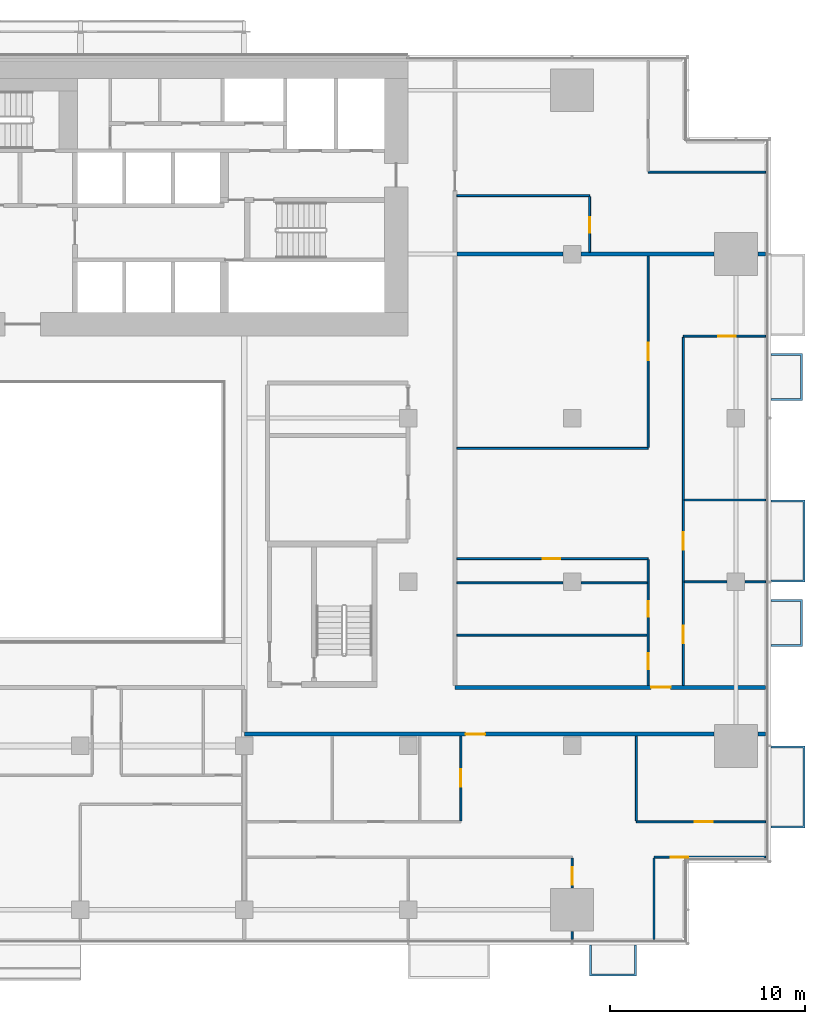
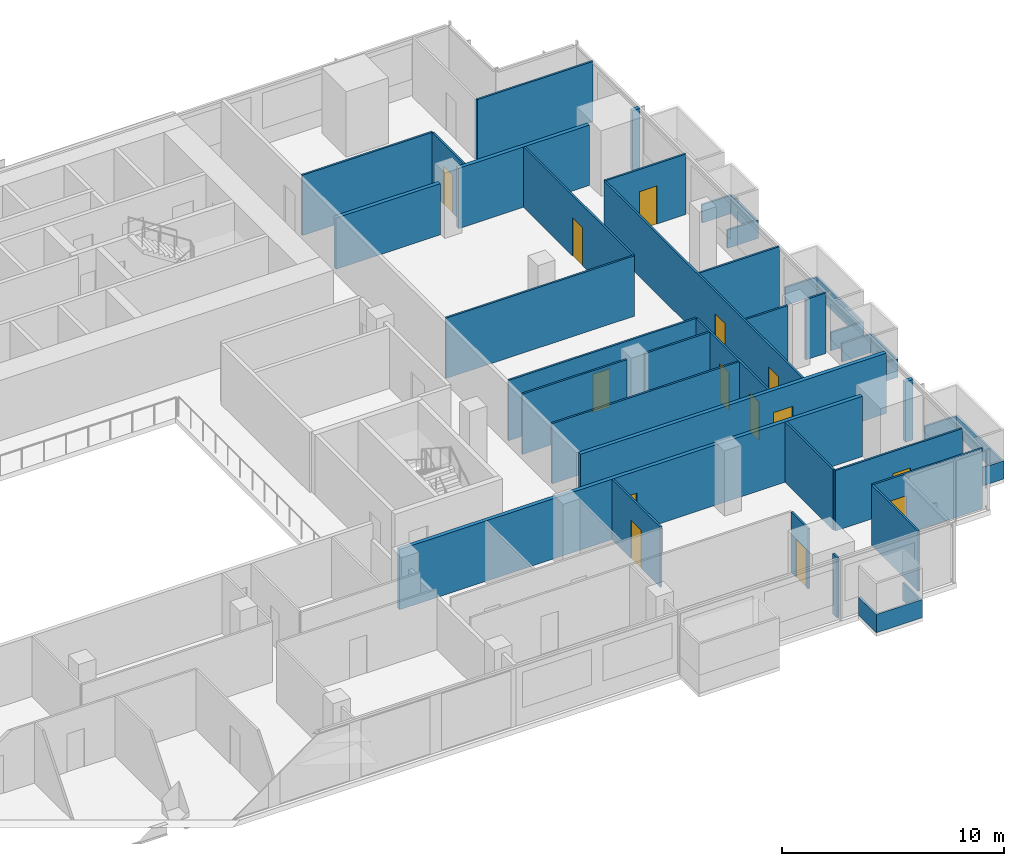
# One storey, part 24 of 27: 33 walls, 14 doors, 14 openings.
"""IFC4 building model written with IfcOpenShell, lengths in metres."""

from ifc_helpers import new_model, si_unit, direction, frame, frame_2d, origin, place, context, subcontext, project, spatial, polyline, rectangle, outline, extrude, material, layer, layer_set, type_object, element, fill, save


model = new_model("IFC4")

# Units and contexts
model_context = context("Model", 3, precision=1e-05, world=origin(), true_north=direction((0.0, 1.0)))
body_context = subcontext(model_context, "Body", "Model", "MODEL_VIEW")
ifc_project = project(units=[si_unit("LENGTHUNIT", "METRE"), si_unit("AREAUNIT", "SQUARE_METRE"), si_unit("VOLUMEUNIT", "CUBIC_METRE"), si_unit("PLANEANGLEUNIT", "RADIAN"), si_unit("MASSUNIT", "GRAM", prefix="KILO")], contexts=[model_context])

# Site, building, storey
site_placement = place(None, origin())
site = spatial("IfcSite", under=ifc_project, at=site_placement, CompositionType="ELEMENT")
building_placement = place(site_placement, origin())
building = spatial("IfcBuilding", under=site, at=building_placement, Name="Saffron Gate Tower", CompositionType="ELEMENT")
storey_placement = place(building_placement, frame((0.0, 0.0, 40.800048828125)))
storey = spatial("IfcBuildingStorey", under=building, at=storey_placement, Name="L08", CompositionType="ELEMENT", Elevation=40.800048828125)

# Wall, opening, door
ifc_material_1 = material(Name="Plasterboard on steel studs", Category="steel")
ifc_layer_1 = layer(ifc_material_1, 0.10009765625)
ifc_layer_set_1 = layer_set([ifc_layer_1], Name="PW1 Partition 100")
wall_type_1 = type_object("IfcWallType", Name="PW1 Partition 100", PredefinedType="PARTITIONING", material=ifc_layer_set_1)
wall_1_placement = place(storey_placement, frame((126.919921875, 34.5, 0.0), z_axis=(0.0, 0.0, 1.0), x_axis=(-1.0, 0.0, 0.0)))
wall_1 = element("IfcWall", 1, at=wall_1_placement, inside=storey, type_object=wall_type_1, Name="Partition A1-4", PredefinedType="PARTITIONING", context=body_context, shape_type="SweptSolid", body=[
    extrude(rectangle(XDim=5.719970703125, YDim=0.10009765625, at=frame_2d((2.85986328125, 0.0))), origin(), (0.0, 0.0, 1.0), 3.320068359375),
])
opening_1_placement = place(wall_1_placement, frame((3.96630859375, 0.0, 0.0)))
opening_1 = element("IfcOpeningElement", 2, at=opening_1_placement, cuts=wall_1, Name="Opening A1-20", PredefinedType="OPENING", context=body_context, shape_type="SweptSolid", body=[
    extrude(rectangle(XDim=0.89990234375, YDim=2.10009765625, at=frame_2d((0.449951171875, 1.050048828125))), frame((0.0, 0.06005859375, 0.0), z_axis=(0.0, -1.0, 0.0), x_axis=(1.0, 0.0, 0.0)), (0.0, 0.0, 1.0), 0.1201171875),
])
ifc_material_2 = material(Name="Timber door set", Category="wood")
door_type_1 = type_object("IfcDoorType", Name="RD1 Room door 900x2100", OperationType="NOTDEFINED", PredefinedType="DOOR", material=ifc_material_2)
door_1_placement = place(opening_1_placement, origin())
door_1 = element("IfcDoor", 3, at=door_1_placement, inside=storey, type_object=door_type_1, Name="Door A1-20", OperationType="SINGLE_SWING_RIGHT", OverallHeight=2.10009765625, OverallWidth=0.89990234375, PredefinedType="DOOR", context=body_context, shape_type="SweptSolid", body=[
    extrude(rectangle(XDim=0.89990234375, YDim=2.10009765625, at=frame_2d((0.449951171875, 1.050048828125))), frame((0.0, 0.02490234375, 0.0), z_axis=(0.0, -1.0, 0.0), x_axis=(1.0, 0.0, 0.0)), (0.0, 0.0, 1.0), 0.050048828125),
])
fill(opening_1, door_1)

wall_2_placement = place(storey_placement, frame((120.300048828125, 36.300048828125, 0.0), z_axis=(0.0, 0.0, 1.0), x_axis=(1.0, 0.0, 0.0)))
wall_2 = element("IfcWall", 4, at=wall_2_placement, inside=storey, type_object=wall_type_1, Name="Partition A1-8", PredefinedType="PARTITIONING", context=body_context, shape_type="SweptSolid", body=[
    extrude(rectangle(XDim=6.619873046875, YDim=0.10009765625, at=frame_2d((3.31005859375, 0.0))), origin(), (0.0, 0.0, 1.0), 3.320068359375),
])
opening_2_placement = place(wall_2_placement, frame((3.0, 0.0, 0.0)))
opening_2 = element("IfcOpeningElement", 5, at=opening_2_placement, cuts=wall_2, Name="Opening A1-21", PredefinedType="OPENING", context=body_context, shape_type="SweptSolid", body=[
    extrude(rectangle(XDim=0.89990234375, YDim=2.10009765625, at=frame_2d((0.449951171875, 1.050048828125))), frame((0.0, 0.06005859375, 0.0), z_axis=(0.0, -1.0, 0.0), x_axis=(1.0, 0.0, 0.0)), (0.0, 0.0, 1.0), 0.1201171875),
])
door_2_placement = place(opening_2_placement, origin())
door_2 = element("IfcDoor", 6, at=door_2_placement, inside=storey, type_object=door_type_1, Name="Door A1-21", OperationType="SINGLE_SWING_RIGHT", OverallHeight=2.10009765625, OverallWidth=0.89990234375, PredefinedType="DOOR", context=body_context, shape_type="SweptSolid", body=[
    extrude(rectangle(XDim=0.89990234375, YDim=2.10009765625, at=frame_2d((0.449951171875, 1.050048828125))), frame((0.0, 0.02490234375, 0.0), z_axis=(0.0, -1.0, 0.0), x_axis=(1.0, 0.0, 0.0)), (0.0, 0.0, 1.0), 0.050048828125),
])
fill(opening_2, door_2)

# Walls
wall_3_placement = place(storey_placement, frame((111.10009765625, 45.876708984375, 0.0), z_axis=(0.0, 0.0, 1.0), x_axis=(1.0, 0.0, 0.0)))
element("IfcWall", 7, at=wall_3_placement, inside=storey, type_object=wall_type_1, Name="Partition A1-20", PredefinedType="PARTITIONING", context=body_context, shape_type="SweptSolid", body=[
    extrude(rectangle(XDim=9.75, YDim=0.10009765625, at=frame_2d((4.875, 0.0))), origin(), (0.0, 0.0, 1.0), 3.320068359375),
])
wall_4_placement = place(storey_placement, frame((111.10009765625, 48.553466796875, 0.0), z_axis=(0.0, 0.0, 1.0), x_axis=(1.0, 0.0, 0.0)))
element("IfcWall", 8, at=wall_4_placement, inside=storey, type_object=wall_type_1, Name="Partition A1-22", PredefinedType="PARTITIONING", context=body_context, shape_type="SweptSolid", body=[
    extrude(rectangle(XDim=5.429931640625, YDim=0.10009765625, at=frame_2d((2.71484375, 0.0))), origin(), (0.0, 0.0, 1.0), 3.320068359375),
])
wall_5_placement = place(storey_placement, frame((117.469970703125, 48.553466796875, 0.0), z_axis=(0.0, 0.0, 1.0), x_axis=(1.0, 0.0, 0.0)))
element("IfcWall", 9, at=wall_5_placement, inside=storey, type_object=wall_type_1, Name="Partition A1-23", PredefinedType="PARTITIONING", context=body_context, shape_type="SweptSolid", body=[
    extrude(rectangle(XDim=3.380126953125, YDim=0.10009765625, at=frame_2d((1.68994140625, 0.0))), origin(), (0.0, 0.0, 1.0), 3.320068359375),
])
wall_6_placement = place(storey_placement, frame((122.75, 48.60009765625, 0.0), z_axis=(0.0, 0.0, 1.0), x_axis=(1.0, 0.0, 0.0)))
element("IfcWall", 10, at=wall_6_placement, inside=storey, type_object=wall_type_1, Name="Partition A1-26", PredefinedType="PARTITIONING", context=body_context, shape_type="SweptSolid", body=[
    extrude(rectangle(XDim=2.179931640625, YDim=0.10009765625, at=frame_2d((1.08984375, 0.0))), origin(), (0.0, 0.0, 1.0), 3.320068359375),
])
wall_7_placement = place(storey_placement, frame((125.8701171875, 48.60009765625, 0.0), z_axis=(0.0, 0.0, 1.0), x_axis=(1.0, 0.0, 0.0)))
element("IfcWall", 11, at=wall_7_placement, inside=storey, type_object=wall_type_1, Name="Partition A1-27", PredefinedType="PARTITIONING", context=body_context, shape_type="SweptSolid", body=[
    extrude(rectangle(XDim=1.0498046875, YDim=0.10009765625, at=frame_2d((0.52490234375, 0.0))), origin(), (0.0, 0.0, 1.0), 3.320068359375),
])

# Wall, opening, door
wall_8_placement = place(storey_placement, frame((120.89990234375, 49.800048828125, 0.0), z_axis=(0.0, 0.0, 1.0), x_axis=(-1.0, 0.0, 0.0)))
wall_8 = element("IfcWall", 12, at=wall_8_placement, inside=storey, type_object=wall_type_1, Name="Partition A1-29", PredefinedType="PARTITIONING", context=body_context, shape_type="SweptSolid", body=[
    extrude(rectangle(XDim=9.7998046875, YDim=0.10009765625, at=frame_2d((4.89990234375, 0.0))), origin(), (0.0, 0.0, 1.0), 3.320068359375),
])
opening_3_placement = place(wall_8_placement, frame((4.5, 0.0, 0.0)))
opening_3 = element("IfcOpeningElement", 13, at=opening_3_placement, cuts=wall_8, Name="Opening A1-33", PredefinedType="OPENING", context=body_context, shape_type="SweptSolid", body=[
    extrude(rectangle(XDim=0.89990234375, YDim=2.10009765625, at=frame_2d((0.449951171875, 1.050048828125))), frame((0.0, 0.06005859375, 0.0), z_axis=(0.0, -1.0, 0.0), x_axis=(1.0, 0.0, 0.0)), (0.0, 0.0, 1.0), 0.1201171875),
])
door_3_placement = place(opening_3_placement, origin())
door_3 = element("IfcDoor", 14, at=door_3_placement, inside=storey, type_object=door_type_1, Name="Door A1-33", OperationType="SINGLE_SWING_RIGHT", OverallHeight=2.10009765625, OverallWidth=0.89990234375, PredefinedType="DOOR", context=body_context, shape_type="SweptSolid", body=[
    extrude(rectangle(XDim=0.89990234375, YDim=2.10009765625, at=frame_2d((0.449951171875, 1.050048828125))), frame((0.0, 0.02490234375, 0.0), z_axis=(0.0, -1.0, 0.0), x_axis=(1.0, 0.0, 0.0)), (0.0, 0.0, 1.0), 0.050048828125),
])
fill(opening_3, door_3)

# Walls
wall_9_placement = place(storey_placement, frame((122.75, 52.800048828125, 0.0), z_axis=(0.0, 0.0, 1.0), x_axis=(1.0, 0.0, 0.0)))
element("IfcWall", 15, at=wall_9_placement, inside=storey, type_object=wall_type_1, Name="Partition A1-34", PredefinedType="PARTITIONING", context=body_context, shape_type="SweptSolid", body=[
    extrude(rectangle(XDim=4.169921875, YDim=0.10009765625, at=frame_2d((2.0849609375, 0.0))), origin(), (0.0, 0.0, 1.0), 3.320068359375),
])
wall_10_placement = place(storey_placement, frame((111.10009765625, 55.44140625, 0.0), z_axis=(0.0, 0.0, 1.0), x_axis=(1.0, 0.0, 0.0)))
element("IfcWall", 16, at=wall_10_placement, inside=storey, type_object=wall_type_1, Name="Partition A1-35", PredefinedType="PARTITIONING", context=body_context, shape_type="SweptSolid", body=[
    extrude(rectangle(XDim=9.7998046875, YDim=0.10009765625, at=frame_2d((4.89990234375, 0.0))), origin(), (0.0, 0.0, 1.0), 3.320068359375),
])

# Wall, opening, door
wall_11_placement = place(storey_placement, frame((126.919921875, 61.199951171875, 0.0), z_axis=(0.0, 0.0, 1.0), x_axis=(-1.0, 0.0, 0.0)))
wall_11 = element("IfcWall", 17, at=wall_11_placement, inside=storey, type_object=wall_type_1, Name="Partition A1-41", PredefinedType="PARTITIONING", context=body_context, shape_type="SweptSolid", body=[
    extrude(rectangle(XDim=4.219970703125, YDim=0.10009765625, at=frame_2d((2.10986328125, 0.0))), origin(), (0.0, 0.0, 1.0), 3.320068359375),
])
opening_4_placement = place(wall_11_placement, frame((1.52001953125, 0.0, 0.0)))
opening_4 = element("IfcOpeningElement", 18, at=opening_4_placement, cuts=wall_11, Name="Opening A1-31", PredefinedType="OPENING", context=body_context, shape_type="SweptSolid", body=[
    extrude(rectangle(XDim=0.89990234375, YDim=2.10009765625, at=frame_2d((0.449951171875, 1.050048828125))), frame((0.0, 0.06005859375, 0.0), z_axis=(0.0, -1.0, 0.0), x_axis=(1.0, 0.0, 0.0)), (0.0, 0.0, 1.0), 0.1201171875),
])
door_4_placement = place(opening_4_placement, origin())
door_4 = element("IfcDoor", 19, at=door_4_placement, inside=storey, type_object=door_type_1, Name="Door A1-31", OperationType="SINGLE_SWING_LEFT", OverallHeight=2.10009765625, OverallWidth=0.89990234375, PredefinedType="DOOR", context=body_context, shape_type="SweptSolid", body=[
    extrude(rectangle(XDim=0.89990234375, YDim=2.10009765625, at=frame_2d((0.449951171875, 1.050048828125))), frame((0.0, 0.02490234375, 0.0), z_axis=(0.0, -1.0, 0.0), x_axis=(1.0, 0.0, 0.0)), (0.0, 0.0, 1.0), 0.050048828125),
])
fill(opening_4, door_4)

# Walls
wall_12_placement = place(storey_placement, frame((111.10009765625, 68.39990234375, 0.0), z_axis=(0.0, 0.0, 1.0), x_axis=(1.0, 0.0, 0.0)))
element("IfcWall", 20, at=wall_12_placement, inside=storey, type_object=wall_type_1, Name="Partition A1-48", PredefinedType="PARTITIONING", context=body_context, shape_type="SweptSolid", body=[
    extrude(rectangle(XDim=6.7998046875, YDim=0.10009765625, at=frame_2d((3.39990234375, 0.0))), origin(), (0.0, 0.0, 1.0), 3.320068359375),
])
wall_13_placement = place(storey_placement, frame((120.89990234375, 69.60009765625, 0.0), z_axis=(0.0, 0.0, 1.0), x_axis=(1.0, 0.0, 0.0)))
element("IfcWall", 21, at=wall_13_placement, inside=storey, type_object=wall_type_1, Name="Partition A1-51", PredefinedType="PARTITIONING", context=body_context, shape_type="SweptSolid", body=[
    extrude(rectangle(XDim=6.02001953125, YDim=0.10009765625, at=frame_2d((3.010009765625, 0.0))), origin(), (0.0, 0.0, 1.0), 3.320068359375),
])

# Wall, opening, door
wall_14_placement = place(storey_placement, frame((111.300048828125, 36.35009765625, 0.0), z_axis=(0.0, 0.0, 1.0), x_axis=(0.0, 1.0, 0.0)))
wall_14 = element("IfcWall", 22, at=wall_14_placement, inside=storey, type_object=wall_type_1, Name="Partition A1-96", PredefinedType="PARTITIONING", context=body_context, shape_type="SweptSolid", body=[
    extrude(rectangle(XDim=4.349853515625, YDim=0.10009765625, at=frame_2d((2.1748046875, 0.0))), origin(), (0.0, 0.0, 1.0), 3.320068359375),
])
opening_5_placement = place(wall_14_placement, frame((1.75, 0.0, 0.0)))
opening_5 = element("IfcOpeningElement", 23, at=opening_5_placement, cuts=wall_14, Name="Opening A1-22", PredefinedType="OPENING", context=body_context, shape_type="SweptSolid", body=[
    extrude(rectangle(XDim=0.89990234375, YDim=2.10009765625, at=frame_2d((0.449951171875, 1.050048828125))), frame((0.0, 0.06005859375, 0.0), z_axis=(0.0, -1.0, 0.0), x_axis=(1.0, 0.0, 0.0)), (0.0, 0.0, 1.0), 0.1201171875),
])
door_5_placement = place(opening_5_placement, origin())
door_5 = element("IfcDoor", 24, at=door_5_placement, inside=storey, type_object=door_type_1, Name="Door A1-22", OperationType="SINGLE_SWING_RIGHT", OverallHeight=2.10009765625, OverallWidth=0.89990234375, PredefinedType="DOOR", context=body_context, shape_type="SweptSolid", body=[
    extrude(rectangle(XDim=0.89990234375, YDim=2.10009765625, at=frame_2d((0.449951171875, 1.050048828125))), frame((0.0, 0.02490234375, 0.0), z_axis=(0.0, -1.0, 0.0), x_axis=(1.0, 0.0, 0.0)), (0.0, 0.0, 1.0), 0.050048828125),
])
fill(opening_5, door_5)

# Wall
wall_15_placement = place(storey_placement, frame((117.0, 30.679931640625, 0.0), z_axis=(0.0, 0.0, 1.0), x_axis=(0.0, -1.0, 0.0)))
element("IfcWall", 25, at=wall_15_placement, inside=storey, type_object=wall_type_1, Name="Partition A1-97", PredefinedType="PARTITIONING", context=body_context, shape_type="SweptSolid", body=[
    extrude(rectangle(XDim=0.39990234375, YDim=0.10009765625, at=frame_2d((0.199951171875, 0.0))), origin(), (0.0, 0.0, 1.0), 3.320068359375),
])

# Wall, opening, door
wall_16_placement = place(storey_placement, frame((117.0, 32.919921875, 0.0), z_axis=(0.0, 0.0, 1.0), x_axis=(0.0, 1.0, 0.0)))
wall_16 = element("IfcWall", 26, at=wall_16_placement, inside=storey, type_object=wall_type_1, Name="Partition A1-98", PredefinedType="PARTITIONING", context=body_context, shape_type="SweptSolid", body=[
    extrude(rectangle(XDim=1.530029296875, YDim=0.10009765625, at=frame_2d((0.76513671875, 0.0))), origin(), (0.0, 0.0, 1.0), 3.320068359375),
])
opening_6_placement = place(wall_16_placement, frame((0.14990234375, 0.0, 0.0)))
opening_6 = element("IfcOpeningElement", 27, at=opening_6_placement, cuts=wall_16, Name="Opening A1-19", PredefinedType="OPENING", context=body_context, shape_type="SweptSolid", body=[
    extrude(rectangle(XDim=0.89990234375, YDim=2.10009765625, at=frame_2d((0.449951171875, 1.050048828125))), frame((0.0, 0.06005859375, 0.0), z_axis=(0.0, -1.0, 0.0), x_axis=(1.0, 0.0, 0.0)), (0.0, 0.0, 1.0), 0.1201171875),
])
door_6_placement = place(opening_6_placement, origin())
door_6 = element("IfcDoor", 28, at=door_6_placement, inside=storey, type_object=door_type_1, Name="Door A1-19", OperationType="SINGLE_SWING_LEFT", OverallHeight=2.10009765625, OverallWidth=0.89990234375, PredefinedType="DOOR", context=body_context, shape_type="SweptSolid", body=[
    extrude(rectangle(XDim=0.89990234375, YDim=2.10009765625, at=frame_2d((0.449951171875, 1.050048828125))), frame((0.0, 0.02490234375, 0.0), z_axis=(0.0, -1.0, 0.0), x_axis=(1.0, 0.0, 0.0)), (0.0, 0.0, 1.0), 0.050048828125),
])
fill(opening_6, door_6)

wall_17_placement = place(storey_placement, frame((117.89990234375, 65.5, 0.0), z_axis=(0.0, 0.0, 1.0), x_axis=(0.0, 1.0, 0.0)))
wall_17 = element("IfcWall", 29, at=wall_17_placement, inside=storey, type_object=wall_type_1, Name="Partition A1-99", PredefinedType="PARTITIONING", context=body_context, shape_type="SweptSolid", body=[
    extrude(rectangle(XDim=2.85009765625, YDim=0.10009765625, at=frame_2d((1.425048828125, 0.0))), origin(), (0.0, 0.0, 1.0), 3.320068359375),
])
opening_7_placement = place(wall_17_placement, frame((1.0, 0.0, 0.0)))
opening_7 = element("IfcOpeningElement", 30, at=opening_7_placement, cuts=wall_17, Name="Opening A1-47", PredefinedType="OPENING", context=body_context, shape_type="SweptSolid", body=[
    extrude(rectangle(XDim=0.800048828125, YDim=2.10009765625, at=frame_2d((0.39990234375, 1.050048828125))), frame((0.0, 0.06005859375, 0.0), z_axis=(0.0, -1.0, 0.0), x_axis=(1.0, 0.0, 0.0)), (0.0, 0.0, 1.0), 0.1201171875),
])
door_type_2 = type_object("IfcDoorType", Name="RD2 Bathroom door 800x2100", OperationType="NOTDEFINED", PredefinedType="DOOR", material=ifc_material_2)
door_7_placement = place(opening_7_placement, origin())
door_7 = element("IfcDoor", 31, at=door_7_placement, inside=storey, type_object=door_type_2, Name="Door A1-47", OperationType="SINGLE_SWING_LEFT", OverallHeight=2.10009765625, OverallWidth=0.800048828125, PredefinedType="DOOR", context=body_context, shape_type="SweptSolid", body=[
    extrude(rectangle(XDim=0.800048828125, YDim=2.10009765625, at=frame_2d((0.39990234375, 1.050048828125))), frame((0.0, 0.02490234375, 0.0), z_axis=(0.0, -1.0, 0.0), x_axis=(1.0, 0.0, 0.0)), (0.0, 0.0, 1.0), 0.050048828125),
])
fill(opening_7, door_7)

# Wall
wall_18_placement = place(storey_placement, frame((120.300048828125, 40.699951171875, 0.0), z_axis=(0.0, 0.0, 1.0), x_axis=(0.0, -1.0, 0.0)))
element("IfcWall", 32, at=wall_18_placement, inside=storey, type_object=wall_type_1, Name="Partition A1-100", PredefinedType="PARTITIONING", context=body_context, shape_type="SweptSolid", body=[
    extrude(rectangle(XDim=4.349853515625, YDim=0.10009765625, at=frame_2d((2.1748046875, 0.0))), origin(), (0.0, 0.0, 1.0), 3.320068359375),
])

# Wall, openings, doors
wall_19_placement = place(storey_placement, frame((120.89990234375, 43.300048828125, 0.0), z_axis=(0.0, 0.0, 1.0), x_axis=(0.0, 1.0, 0.0)))
wall_19 = element("IfcWall", 33, at=wall_19_placement, inside=storey, type_object=wall_type_1, Name="Partition A1-101", PredefinedType="PARTITIONING", context=body_context, shape_type="SweptSolid", body=[
    extrude(rectangle(XDim=6.449951171875, YDim=0.10009765625, at=frame_2d((3.22509765625, 0.0))), origin(), (0.0, 0.0, 1.0), 3.320068359375),
])
opening_8_placement = place(wall_19_placement, frame((0.83837890625, 0.0, 0.0)))
opening_8 = element("IfcOpeningElement", 34, at=opening_8_placement, cuts=wall_19, Name="Opening A1-45", PredefinedType="OPENING", context=body_context, shape_type="SweptSolid", body=[
    extrude(rectangle(XDim=0.800048828125, YDim=2.10009765625, at=frame_2d((0.39990234375, 1.050048828125))), frame((0.0, 0.06005859375, 0.0), z_axis=(0.0, -1.0, 0.0), x_axis=(1.0, 0.0, 0.0)), (0.0, 0.0, 1.0), 0.1201171875),
])
opening_9_placement = place(wall_19_placement, frame((3.51513671875, 0.0, 0.0)))
opening_9 = element("IfcOpeningElement", 35, at=opening_9_placement, cuts=wall_19, Name="Opening A1-46", PredefinedType="OPENING", context=body_context, shape_type="SweptSolid", body=[
    extrude(rectangle(XDim=0.800048828125, YDim=2.10009765625, at=frame_2d((0.39990234375, 1.050048828125))), frame((0.0, 0.06005859375, 0.0), z_axis=(0.0, -1.0, 0.0), x_axis=(1.0, 0.0, 0.0)), (0.0, 0.0, 1.0), 0.1201171875),
])
door_8_placement = place(opening_8_placement, origin())
door_8 = element("IfcDoor", 36, at=door_8_placement, inside=storey, type_object=door_type_2, Name="Door A1-45", OperationType="SINGLE_SWING_LEFT", OverallHeight=2.10009765625, OverallWidth=0.800048828125, PredefinedType="DOOR", context=body_context, shape_type="SweptSolid", body=[
    extrude(rectangle(XDim=0.800048828125, YDim=2.10009765625, at=frame_2d((0.39990234375, 1.050048828125))), frame((0.0, 0.02490234375, 0.0), z_axis=(0.0, -1.0, 0.0), x_axis=(1.0, 0.0, 0.0)), (0.0, 0.0, 1.0), 0.050048828125),
])
fill(opening_8, door_8)
door_9_placement = place(opening_9_placement, origin())
door_9 = element("IfcDoor", 37, at=door_9_placement, inside=storey, type_object=door_type_2, Name="Door A1-46", OperationType="SINGLE_SWING_RIGHT", OverallHeight=2.10009765625, OverallWidth=0.800048828125, PredefinedType="DOOR", context=body_context, shape_type="SweptSolid", body=[
    extrude(rectangle(XDim=0.800048828125, YDim=2.10009765625, at=frame_2d((0.39990234375, 1.050048828125))), frame((0.0, 0.02490234375, 0.0), z_axis=(0.0, -1.0, 0.0), x_axis=(1.0, 0.0, 0.0)), (0.0, 0.0, 1.0), 0.050048828125),
])
fill(opening_9, door_9)

# Wall, opening, door
wall_20_placement = place(storey_placement, frame((120.89990234375, 55.491455078125, 0.0), z_axis=(0.0, 0.0, 1.0), x_axis=(0.0, 1.0, 0.0)))
wall_20 = element("IfcWall", 38, at=wall_20_placement, inside=storey, type_object=wall_type_1, Name="Partition A1-102", PredefinedType="PARTITIONING", context=body_context, shape_type="SweptSolid", body=[
    extrude(rectangle(XDim=9.80859375, YDim=0.10009765625, at=frame_2d((4.904296875, 0.0))), origin(), (0.0, 0.0, 1.0), 3.320068359375),
])
opening_10_placement = place(wall_20_placement, frame((4.479248046875, 0.0, 0.0)))
opening_10 = element("IfcOpeningElement", 39, at=opening_10_placement, cuts=wall_20, Name="Opening A1-32", PredefinedType="OPENING", context=body_context, shape_type="SweptSolid", body=[
    extrude(rectangle(XDim=0.89990234375, YDim=2.10009765625, at=frame_2d((0.449951171875, 1.050048828125))), frame((0.0, 0.06005859375, 0.0), z_axis=(0.0, -1.0, 0.0), x_axis=(1.0, 0.0, 0.0)), (0.0, 0.0, 1.0), 0.1201171875),
])
door_10_placement = place(opening_10_placement, origin())
door_10 = element("IfcDoor", 40, at=door_10_placement, inside=storey, type_object=door_type_1, Name="Door A1-32", OperationType="SINGLE_SWING_RIGHT", OverallHeight=2.10009765625, OverallWidth=0.89990234375, PredefinedType="DOOR", context=body_context, shape_type="SweptSolid", body=[
    extrude(rectangle(XDim=0.89990234375, YDim=2.10009765625, at=frame_2d((0.449951171875, 1.050048828125))), frame((0.0, 0.02490234375, 0.0), z_axis=(0.0, -1.0, 0.0), x_axis=(1.0, 0.0, 0.0)), (0.0, 0.0, 1.0), 0.050048828125),
])
fill(opening_10, door_10)

# Wall
wall_21_placement = place(storey_placement, frame((121.199951171875, 34.449951171875, 0.0), z_axis=(0.0, 0.0, 1.0), x_axis=(0.0, -1.0, 0.0)))
element("IfcWall", 41, at=wall_21_placement, inside=storey, type_object=wall_type_1, Name="Partition A1-104", PredefinedType="PARTITIONING", context=body_context, shape_type="SweptSolid", body=[
    extrude(rectangle(XDim=4.169921875, YDim=0.10009765625, at=frame_2d((2.0849609375, 0.0))), origin(), (0.0, 0.0, 1.0), 3.320068359375),
])

# Wall, openings, doors
wall_22_placement = place(storey_placement, frame((122.699951171875, 61.14990234375, 0.0), z_axis=(0.0, 0.0, 1.0), x_axis=(0.0, -1.0, 0.0)))
wall_22 = element("IfcWall", 42, at=wall_22_placement, inside=storey, type_object=wall_type_1, Name="Partition A1-105", PredefinedType="PARTITIONING", context=body_context, shape_type="SweptSolid", body=[
    extrude(rectangle(XDim=17.849853515625, YDim=0.10009765625, at=frame_2d((8.9248046875, 0.0))), origin(), (0.0, 0.0, 1.0), 3.320068359375),
])
opening_11_placement = place(wall_22_placement, frame((10.0, 0.0, 0.0)))
opening_11 = element("IfcOpeningElement", 43, at=opening_11_placement, cuts=wall_22, Name="Opening A1-30", PredefinedType="OPENING", context=body_context, shape_type="SweptSolid", body=[
    extrude(rectangle(XDim=0.89990234375, YDim=2.10009765625, at=frame_2d((0.449951171875, 1.050048828125))), frame((0.0, 0.06005859375, 0.0), z_axis=(0.0, -1.0, 0.0), x_axis=(1.0, 0.0, 0.0)), (0.0, 0.0, 1.0), 0.1201171875),
])
opening_12_placement = place(wall_22_placement, frame((14.800048828125, 0.0, 0.0)))
opening_12 = element("IfcOpeningElement", 44, at=opening_12_placement, cuts=wall_22, Name="Opening A1-29", PredefinedType="OPENING", context=body_context, shape_type="SweptSolid", body=[
    extrude(rectangle(XDim=0.89990234375, YDim=2.10009765625, at=frame_2d((0.449951171875, 1.050048828125))), frame((0.0, 0.06005859375, 0.0), z_axis=(0.0, -1.0, 0.0), x_axis=(1.0, 0.0, 0.0)), (0.0, 0.0, 1.0), 0.1201171875),
])
door_11_placement = place(opening_11_placement, origin())
door_11 = element("IfcDoor", 45, at=door_11_placement, inside=storey, type_object=door_type_1, Name="Door A1-30", OperationType="SINGLE_SWING_LEFT", OverallHeight=2.10009765625, OverallWidth=0.89990234375, PredefinedType="DOOR", context=body_context, shape_type="SweptSolid", body=[
    extrude(rectangle(XDim=0.89990234375, YDim=2.10009765625, at=frame_2d((0.449951171875, 1.050048828125))), frame((0.0, 0.02490234375, 0.0), z_axis=(0.0, -1.0, 0.0), x_axis=(1.0, 0.0, 0.0)), (0.0, 0.0, 1.0), 0.050048828125),
])
fill(opening_11, door_11)
door_12_placement = place(opening_12_placement, origin())
door_12 = element("IfcDoor", 46, at=door_12_placement, inside=storey, type_object=door_type_1, Name="Door A1-29", OperationType="SINGLE_SWING_RIGHT", OverallHeight=2.10009765625, OverallWidth=0.89990234375, PredefinedType="DOOR", context=body_context, shape_type="SweptSolid", body=[
    extrude(rectangle(XDim=0.89990234375, YDim=2.10009765625, at=frame_2d((0.449951171875, 1.050048828125))), frame((0.0, 0.02490234375, 0.0), z_axis=(0.0, -1.0, 0.0), x_axis=(1.0, 0.0, 0.0)), (0.0, 0.0, 1.0), 0.050048828125),
])
fill(opening_12, door_12)

# Walls
ifc_material_3 = material(Name="Clay brick masonry, rendered", Category="masonry")
ifc_layer_2 = layer(ifc_material_3, 0.199951171875)
ifc_layer_set_2 = layer_set([ifc_layer_2], Name="PW2 Demising wall 200")
wall_type_2 = type_object("IfcWallType", Name="PW2 Demising wall 200", PredefinedType="PARTITIONING", material=ifc_layer_set_2)
wall_23_placement = place(storey_placement, frame((111.10009765625, 65.39990234375, 0.0), z_axis=(0.0, 0.0, 1.0), x_axis=(1.0, 0.0, 0.0)))
element("IfcWall", 47, at=wall_23_placement, inside=storey, type_object=wall_type_2, Name="Wall A1-45", PredefinedType="PARTITIONING", context=body_context, shape_type="SweptSolid", body=[
    extrude(rectangle(XDim=5.429931640625, YDim=0.199951171875, at=frame_2d((2.71484375, 0.0))), origin(), (0.0, 0.0, 1.0), 2.820068359375),
])
wall_24_placement = place(storey_placement, frame((117.469970703125, 65.39990234375, 0.0), z_axis=(0.0, 0.0, 1.0), x_axis=(1.0, 0.0, 0.0)))
element("IfcWall", 48, at=wall_24_placement, inside=storey, type_object=wall_type_2, Name="Wall A1-46", PredefinedType="PARTITIONING", context=body_context, shape_type="SweptSolid", body=[
    extrude(rectangle(XDim=6.81005859375, YDim=0.199951171875, at=frame_2d((3.405029296875, 0.0))), origin(), (0.0, 0.0, 1.0), 3.320068359375),
])
wall_25_placement = place(storey_placement, frame((126.52001953125, 65.39990234375, 0.0), z_axis=(0.0, 0.0, 1.0), x_axis=(1.0, 0.0, 0.0)))
element("IfcWall", 49, at=wall_25_placement, inside=storey, type_object=wall_type_2, Name="Wall A1-47", PredefinedType="PARTITIONING", context=body_context, shape_type="SweptSolid", body=[
    extrude(rectangle(XDim=0.39990234375, YDim=0.199951171875, at=frame_2d((0.199951171875, 0.0))), origin(), (0.0, 0.0, 1.0), 3.320068359375),
])

# Wall, opening, door
ifc_layer_3 = layer(ifc_material_3, 0.199951171875)
ifc_layer_set_3 = layer_set([ifc_layer_3], Name="PW3 Corridor wall 200")
wall_type_3 = type_object("IfcWallType", Name="PW3 Corridor wall 200", PredefinedType="PARTITIONING", material=ifc_layer_set_3)
wall_26_placement = place(storey_placement, frame((124.280029296875, 40.800048828125, 0.0), z_axis=(0.0, 0.0, 1.0), x_axis=(-1.0, 0.0, 0.0)))
wall_26 = element("IfcWall", 50, at=wall_26_placement, inside=storey, type_object=wall_type_3, Name="Wall A1-15", PredefinedType="PARTITIONING", context=body_context, shape_type="SweptSolid", body=[
    extrude(rectangle(XDim=24.080078125, YDim=0.199951171875, at=frame_2d((12.0400390625, 0.0))), origin(), (0.0, 0.0, 1.0), 3.320068359375),
])
opening_13_placement = place(wall_26_placement, frame((11.72998046875, 0.0, 0.0)))
opening_13 = element("IfcOpeningElement", 51, at=opening_13_placement, cuts=wall_26, Name="Opening A1-3", PredefinedType="OPENING", context=body_context, shape_type="SweptSolid", body=[
    extrude(rectangle(XDim=1.0, YDim=2.10009765625, at=frame_2d((0.5, 1.050048828125))), frame((0.0, 0.10986328125, 0.0), z_axis=(0.0, -1.0, 0.0), x_axis=(1.0, 0.0, 0.0)), (0.0, 0.0, 1.0), 0.219970703125),
])
ifc_material_4 = material(Name="Timber fire door set", Category="wood")
door_type_3 = type_object("IfcDoorType", Name="FD1 Flat entry door 1000x2100", OperationType="NOTDEFINED", PredefinedType="DOOR", material=ifc_material_4)
door_13_placement = place(opening_13_placement, origin())
door_13 = element("IfcDoor", 52, at=door_13_placement, inside=storey, type_object=door_type_3, Name="Door A1-3", OperationType="SINGLE_SWING_RIGHT", OverallHeight=2.10009765625, OverallWidth=1.0, PredefinedType="DOOR", context=body_context, shape_type="SweptSolid", body=[
    extrude(rectangle(XDim=1.0, YDim=2.10009765625, at=frame_2d((0.5, 1.050048828125))), frame((0.0, 0.02490234375, 0.0), z_axis=(0.0, -1.0, 0.0), x_axis=(1.0, 0.0, 0.0)), (0.0, 0.0, 1.0), 0.050048828125),
])
fill(opening_13, door_13)

# Wall
wall_27_placement = place(storey_placement, frame((126.52001953125, 40.800048828125, 0.0), z_axis=(0.0, 0.0, 1.0), x_axis=(1.0, 0.0, 0.0)))
element("IfcWall", 53, at=wall_27_placement, inside=storey, type_object=wall_type_3, Name="Wall A1-16", PredefinedType="PARTITIONING", context=body_context, shape_type="SweptSolid", body=[
    extrude(rectangle(XDim=0.39990234375, YDim=0.199951171875, at=frame_2d((0.199951171875, 0.0))), origin(), (0.0, 0.0, 1.0), 3.320068359375),
])

# Wall, opening, door
wall_28_placement = place(storey_placement, frame((111.0, 43.199951171875, 0.0), z_axis=(0.0, 0.0, 1.0), x_axis=(1.0, 0.0, 0.0)))
wall_28 = element("IfcWall", 54, at=wall_28_placement, inside=storey, type_object=wall_type_3, Name="Wall A1-19", PredefinedType="PARTITIONING", context=body_context, shape_type="SweptSolid", body=[
    extrude(rectangle(XDim=15.919921875, YDim=0.199951171875, at=frame_2d((7.9599609375, 0.0))), origin(), (0.0, 0.0, 1.0), 3.320068359375),
])
opening_14_placement = place(wall_28_placement, frame((10.050048828125, 0.0, 0.0)))
opening_14 = element("IfcOpeningElement", 55, at=opening_14_placement, cuts=wall_28, Name="Opening A1-6", PredefinedType="OPENING", context=body_context, shape_type="SweptSolid", body=[
    extrude(rectangle(XDim=1.0, YDim=2.10009765625, at=frame_2d((0.5, 1.050048828125))), frame((0.0, 0.10986328125, 0.0), z_axis=(0.0, -1.0, 0.0), x_axis=(1.0, 0.0, 0.0)), (0.0, 0.0, 1.0), 0.219970703125),
])
door_14_placement = place(opening_14_placement, origin())
door_14 = element("IfcDoor", 56, at=door_14_placement, inside=storey, type_object=door_type_3, Name="Door A1-6", OperationType="SINGLE_SWING_LEFT", OverallHeight=2.10009765625, OverallWidth=1.0, PredefinedType="DOOR", context=body_context, shape_type="SweptSolid", body=[
    extrude(rectangle(XDim=1.0, YDim=2.10009765625, at=frame_2d((0.5, 1.050048828125))), frame((0.0, 0.02490234375, 0.0), z_axis=(0.0, -1.0, 0.0), x_axis=(1.0, 0.0, 0.0)), (0.0, 0.0, 1.0), 0.050048828125),
])
fill(opening_14, door_14)

# Walls
ifc_material_5 = material(Name="Rendered insulated panel, white")
ifc_layer_4 = layer(ifc_material_5, 0.10009765625)
ifc_layer_set_4 = layer_set([ifc_layer_4], Name="WB3 box parapet white")
wall_type_4 = type_object("IfcWallType", Name="WB3 box parapet white", PredefinedType="SOLIDWALL", material=ifc_layer_set_4)
wall_29_placement = place(storey_placement, origin())
element("IfcWall", 57, at=wall_29_placement, inside=storey, type_object=wall_type_4, Name="WINDOW BOX parapet", PredefinedType="SOLIDWALL", context=body_context, shape_type="SweptSolid", body=[
    extrude(outline(polyline([(117.89990234375, 30.0), (118.0, 30.0), (118.0, 28.5), (120.199951171875, 28.5), (120.199951171875, 30.0), (120.300048828125, 30.0), (120.300048828125, 28.39990234375), (117.89990234375, 28.39990234375), (117.89990234375, 30.0)])), origin(), (0.0, 0.0, 1.0), 1.0),
])
wall_30_placement = place(storey_placement, origin())
element("IfcWall", 58, at=wall_30_placement, inside=storey, type_object=wall_type_4, Name="WINDOW BOX parapet", PredefinedType="SOLIDWALL", context=body_context, shape_type="SweptSolid", body=[
    extrude(outline(polyline([(127.199951171875, 36.0), (127.199951171875, 36.10009765625), (128.8330078125, 36.10009765625), (128.8330078125, 40.10009765625), (127.199951171875, 40.10009765625), (127.199951171875, 40.199951171875), (128.93310546875, 40.199951171875), (128.93310546875, 36.0), (127.199951171875, 36.0)])), origin(), (0.0, 0.0, 1.0), 1.0),
])
wall_31_placement = place(storey_placement, origin())
element("IfcWall", 59, at=wall_31_placement, inside=storey, type_object=wall_type_4, Name="WINDOW BOX parapet", PredefinedType="SOLIDWALL", context=body_context, shape_type="SweptSolid", body=[
    extrude(outline(polyline([(127.199951171875, 45.300048828125), (127.199951171875, 45.39990234375), (128.699951171875, 45.39990234375), (128.699951171875, 47.60009765625), (127.199951171875, 47.60009765625), (127.199951171875, 47.699951171875), (128.800048828125, 47.699951171875), (128.800048828125, 45.300048828125), (127.199951171875, 45.300048828125)])), origin(), (0.0, 0.0, 1.0), 1.0),
])
wall_32_placement = place(storey_placement, origin())
element("IfcWall", 60, at=wall_32_placement, inside=storey, type_object=wall_type_4, Name="WINDOW BOX parapet", PredefinedType="SOLIDWALL", context=body_context, shape_type="SweptSolid", body=[
    extrude(outline(polyline([(127.199951171875, 48.60009765625), (127.199951171875, 48.699951171875), (128.8330078125, 48.699951171875), (128.8330078125, 52.699951171875), (127.199951171875, 52.699951171875), (127.199951171875, 52.800048828125), (128.93310546875, 52.800048828125), (128.93310546875, 48.60009765625), (127.199951171875, 48.60009765625)])), origin(), (0.0, 0.0, 1.0), 1.0),
])
wall_33_placement = place(storey_placement, origin())
element("IfcWall", 61, at=wall_33_placement, inside=storey, type_object=wall_type_4, Name="WINDOW BOX parapet", PredefinedType="SOLIDWALL", context=body_context, shape_type="SweptSolid", body=[
    extrude(outline(polyline([(127.199951171875, 57.89990234375), (127.199951171875, 58.0), (128.699951171875, 58.0), (128.699951171875, 60.199951171875), (127.199951171875, 60.199951171875), (127.199951171875, 60.300048828125), (128.800048828125, 60.300048828125), (128.800048828125, 57.89990234375), (127.199951171875, 57.89990234375)])), origin(), (0.0, 0.0, 1.0), 1.0),
])

save(model, "model.ifc")
